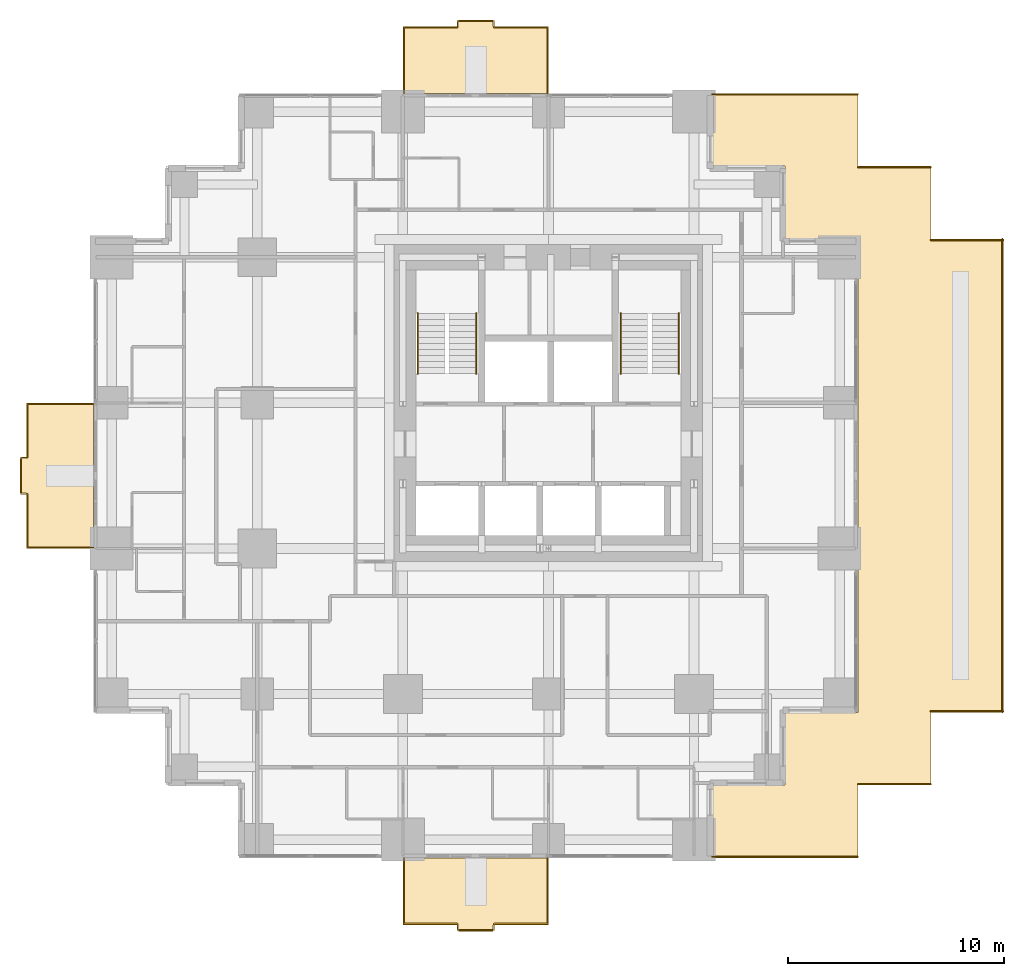
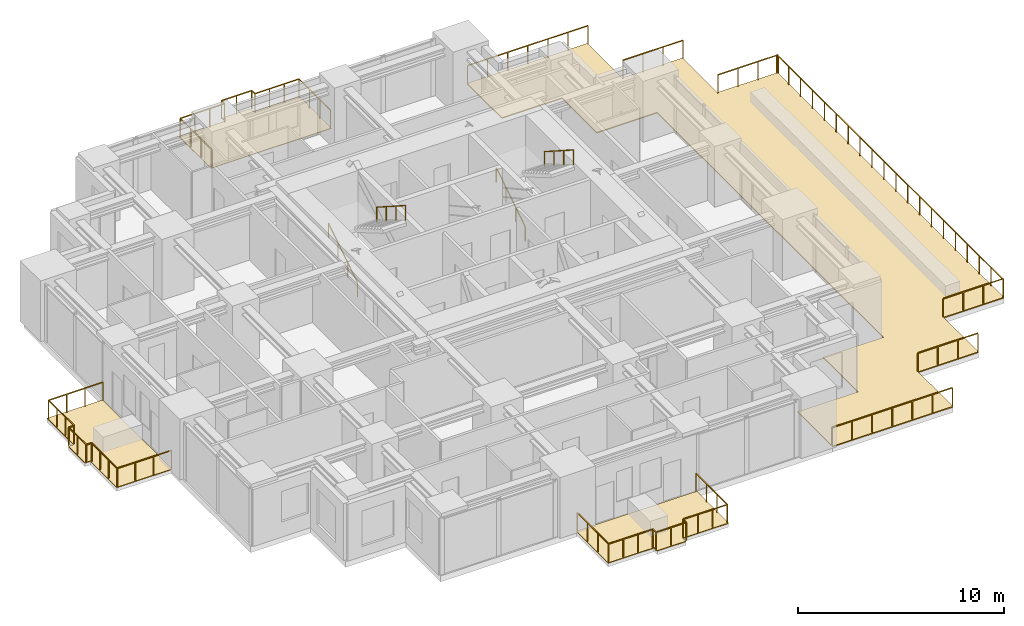
# One storey, part 10 of 10: 16 railings, 4 coverings.
"""IFC4 building model written with IfcOpenShell, lengths in metres."""

from ifc_helpers import new_model, si_unit, direction, frame, origin, origin_2d, place, context, subcontext, project, spatial, polyline, rectangle, outline, extrude, material, layer, layer_set, type_object, element, save


model = new_model("IFC4")

# Units and contexts
model_context = context("Model", 3, precision=1e-05, world=origin(), true_north=direction((0.0, 1.0)))
body_context = subcontext(model_context, "Body", "Model", "MODEL_VIEW")
ifc_project = project(units=[si_unit("LENGTHUNIT", "METRE"), si_unit("AREAUNIT", "SQUARE_METRE"), si_unit("VOLUMEUNIT", "CUBIC_METRE"), si_unit("PLANEANGLEUNIT", "RADIAN"), si_unit("MASSUNIT", "GRAM", prefix="KILO")], contexts=[model_context])

# Site, building, storey
site_placement = place(None, origin())
site = spatial("IfcSite", under=ifc_project, at=site_placement, CompositionType="ELEMENT")
building_placement = place(site_placement, origin())
building = spatial("IfcBuilding", under=site, at=building_placement, Name="Nyansa Garden Tower", CompositionType="ELEMENT")
storey_placement = place(building_placement, frame((0.0, 0.0, 142.199951171875)))
storey = spatial("IfcBuildingStorey", under=building, at=storey_placement, Name="L38", CompositionType="ELEMENT", Elevation=142.199951171875)

# Coverings
ifc_material_1 = material(Name="Hardwood decking on pedestals", Category="wood")
ifc_layer_1 = layer(ifc_material_1, 0.0400390625)
ifc_layer_set_1 = layer_set([ifc_layer_1], Name="Balcony decking DK40")
covering_type_1 = type_object("IfcCoveringType", Name="Balcony decking DK40", PredefinedType="FLOORING", material=ifc_layer_set_1)
covering_1_placement = place(storey_placement, frame((0.0, 0.0, -0.0400390625)))
element("IfcCovering", 1, at=covering_1_placement, inside=storey, type_object=covering_type_1, Name="Balcony decking L38", PredefinedType="FLOORING", context=body_context, shape_type="SweptSolid", body=[
    extrude(outline(polyline([(13.5, -0.85009765625), (20.25, -0.85009765625), (20.25, -3.949951171875), (17.675048828125, -3.949951171875), (17.675048828125, -4.25), (16.074951171875, -4.25), (16.074951171875, -3.949951171875), (13.5, -3.949951171875), (13.5, -0.85009765625)])), origin(), (0.0, 0.0, 1.0), 0.0400390625),
])
covering_2_placement = place(storey_placement, frame((0.0, 0.0, -0.0400390625)))
element("IfcCovering", 2, at=covering_2_placement, inside=storey, type_object=covering_type_1, Name="Balcony decking L38", PredefinedType="FLOORING", context=body_context, shape_type="SweptSolid", body=[
    extrude(outline(polyline([(13.5, 34.60009765625), (20.25, 34.60009765625), (20.25, 37.699951171875), (17.675048828125, 37.699951171875), (17.675048828125, 38.0), (16.074951171875, 38.0), (16.074951171875, 37.699951171875), (13.5, 37.699951171875), (13.5, 34.60009765625)])), origin(), (0.0, 0.0, 1.0), 0.0400390625),
])
covering_3_placement = place(storey_placement, frame((0.0, 0.0, -0.0400390625)))
element("IfcCovering", 3, at=covering_3_placement, inside=storey, type_object=covering_type_1, Name="Balcony decking L38", PredefinedType="FLOORING", context=body_context, shape_type="SweptSolid", body=[
    extrude(outline(polyline([(-0.85009765625, 13.5), (-0.85009765625, 20.25), (-3.949951171875, 20.25), (-3.949951171875, 17.675048828125), (-4.25, 17.675048828125), (-4.25, 16.074951171875), (-3.949951171875, 16.074951171875), (-3.949951171875, 13.5), (-0.85009765625, 13.5)])), origin(), (0.0, 0.0, 1.0), 0.0400390625),
])

# Railings
ifc_material_2 = material(Name="Black powder-coated steel balusters, laminated glass infill", Category="steel")
railing_type_1 = type_object("IfcRailingType", Name="Balcony guard G1", PredefinedType="GUARDRAIL", material=ifc_material_2)
railing_1_placement = place(storey_placement, frame((13.550048828125, -0.85009765625, 0.0)))
element("IfcRailing", 4, at=railing_1_placement, inside=storey, type_object=railing_type_1, Name="Balcony guard L38", PredefinedType="GUARDRAIL", context=body_context, shape_type="SweptSolid", body=[
    extrude(rectangle(XDim=0.048095703125, YDim=0.048095703125, at=origin_2d()), frame((0.0, 0.0, 1.076171875), z_axis=(0.0, -1.0, 0.0), x_axis=(1.0, 0.0, 0.0)), (0.0, 0.0, 1.0), 3.0498046875),
    extrude(rectangle(XDim=0.048095703125, YDim=0.048095703125, at=origin_2d()), frame((0.0, -3.0498046875, 1.076171875), z_axis=(1.0, 0.0, 0.0), x_axis=(0.0, 1.0, 0.0)), (0.0, 0.0, 1.0), 2.474853515625),
    extrude(rectangle(XDim=0.048095703125, YDim=0.048095703125, at=origin_2d()), frame((2.474853515625, -3.0498046875, 1.076171875), z_axis=(0.0, -1.0, 0.0), x_axis=(1.0, 0.0, 0.0)), (0.0, 0.0, 1.0), 0.300048828125),
    extrude(rectangle(XDim=0.048095703125, YDim=0.048095703125, at=origin_2d()), frame((2.474853515625, -3.349853515625, 1.076171875), z_axis=(1.0, 0.0, 0.0), x_axis=(0.0, 1.0, 0.0)), (0.0, 0.0, 1.0), 1.7001953125),
    extrude(rectangle(XDim=0.048095703125, YDim=0.048095703125, at=origin_2d()), frame((4.175048828125, -3.349853515625, 1.076171875), z_axis=(0.0, 1.0, 0.0), x_axis=(-1.0, 0.0, 0.0)), (0.0, 0.0, 1.0), 0.300048828125),
    extrude(rectangle(XDim=0.048095703125, YDim=0.048095703125, at=origin_2d()), frame((4.175048828125, -3.0498046875, 1.076171875), z_axis=(1.0, 0.0, 0.0), x_axis=(0.0, 1.0, 0.0)), (0.0, 0.0, 1.0), 2.474853515625),
    extrude(rectangle(XDim=0.048095703125, YDim=0.048095703125, at=origin_2d()), frame((6.64990234375, -3.0498046875, 1.076171875), z_axis=(0.0, 1.0, 0.0), x_axis=(-1.0, 0.0, 0.0)), (0.0, 0.0, 1.0), 3.0498046875),
    extrude(rectangle(XDim=0.0419921875, YDim=0.0419921875, at=origin_2d()), origin(), (0.0, 0.0, 1.0), 1.052001953125),
    extrude(rectangle(XDim=0.0419921875, YDim=0.0419921875, at=origin_2d()), frame((0.0, -1.0166015625, 0.0)), (0.0, 0.0, 1.0), 1.052001953125),
    extrude(rectangle(XDim=0.0419921875, YDim=0.0419921875, at=origin_2d()), frame((0.0, -2.033203125, 0.0)), (0.0, 0.0, 1.0), 1.052001953125),
    extrude(rectangle(XDim=0.0419921875, YDim=0.0419921875, at=origin_2d()), frame((0.0, -3.0498046875, 0.0)), (0.0, 0.0, 1.0), 1.052001953125),
    extrude(rectangle(XDim=0.0419921875, YDim=0.0419921875, at=origin_2d()), frame((0.824951171875, -3.0498046875, 0.0)), (0.0, 0.0, 1.0), 1.052001953125),
    extrude(rectangle(XDim=0.0419921875, YDim=0.0419921875, at=origin_2d()), frame((1.64990234375, -3.0498046875, 0.0)), (0.0, 0.0, 1.0), 1.052001953125),
    extrude(rectangle(XDim=0.0419921875, YDim=0.0419921875, at=origin_2d()), frame((2.474853515625, -3.0498046875, 0.0)), (0.0, 0.0, 1.0), 1.052001953125),
    extrude(rectangle(XDim=0.0419921875, YDim=0.0419921875, at=origin_2d()), frame((2.474853515625, -3.349853515625, 0.0)), (0.0, 0.0, 1.0), 1.052001953125),
    extrude(rectangle(XDim=0.0419921875, YDim=0.0419921875, at=origin_2d()), frame((3.324951171875, -3.349853515625, 0.0)), (0.0, 0.0, 1.0), 1.052001953125),
    extrude(rectangle(XDim=0.0419921875, YDim=0.0419921875, at=origin_2d()), frame((4.175048828125, -3.349853515625, 0.0)), (0.0, 0.0, 1.0), 1.052001953125),
    extrude(rectangle(XDim=0.0419921875, YDim=0.0419921875, at=origin_2d()), frame((4.175048828125, -3.0498046875, 0.0)), (0.0, 0.0, 1.0), 1.052001953125),
    extrude(rectangle(XDim=0.0419921875, YDim=0.0419921875, at=origin_2d()), frame((5.0, -3.0498046875, 0.0)), (0.0, 0.0, 1.0), 1.052001953125),
    extrude(rectangle(XDim=0.0419921875, YDim=0.0419921875, at=origin_2d()), frame((5.824951171875, -3.0498046875, 0.0)), (0.0, 0.0, 1.0), 1.052001953125),
    extrude(rectangle(XDim=0.0419921875, YDim=0.0419921875, at=origin_2d()), frame((6.64990234375, -3.0498046875, 0.0)), (0.0, 0.0, 1.0), 1.052001953125),
    extrude(rectangle(XDim=0.0419921875, YDim=0.0419921875, at=origin_2d()), frame((6.64990234375, -2.033203125, 0.0)), (0.0, 0.0, 1.0), 1.052001953125),
    extrude(rectangle(XDim=0.0419921875, YDim=0.0419921875, at=origin_2d()), frame((6.64990234375, -1.0166015625, 0.0)), (0.0, 0.0, 1.0), 1.052001953125),
    extrude(rectangle(XDim=0.0419921875, YDim=0.0419921875, at=origin_2d()), frame((6.64990234375, 0.0, 0.0)), (0.0, 0.0, 1.0), 1.052001953125),
])
railing_2_placement = place(storey_placement, frame((13.550048828125, 34.60009765625, 0.0)))
element("IfcRailing", 5, at=railing_2_placement, inside=storey, type_object=railing_type_1, Name="Balcony guard L38", PredefinedType="GUARDRAIL", context=body_context, shape_type="SweptSolid", body=[
    extrude(rectangle(XDim=0.048095703125, YDim=0.048095703125, at=origin_2d()), frame((0.0, 0.0, 1.076171875), z_axis=(0.0, 1.0, 0.0), x_axis=(-1.0, 0.0, 0.0)), (0.0, 0.0, 1.0), 3.0498046875),
    extrude(rectangle(XDim=0.048095703125, YDim=0.048095703125, at=origin_2d()), frame((0.0, 3.0498046875, 1.076171875), z_axis=(1.0, 0.0, 0.0), x_axis=(0.0, 1.0, 0.0)), (0.0, 0.0, 1.0), 2.474853515625),
    extrude(rectangle(XDim=0.048095703125, YDim=0.048095703125, at=origin_2d()), frame((2.474853515625, 3.0498046875, 1.076171875), z_axis=(0.0, 1.0, 0.0), x_axis=(-1.0, 0.0, 0.0)), (0.0, 0.0, 1.0), 0.300048828125),
    extrude(rectangle(XDim=0.048095703125, YDim=0.048095703125, at=origin_2d()), frame((2.474853515625, 3.349853515625, 1.076171875), z_axis=(1.0, 0.0, 0.0), x_axis=(0.0, 1.0, 0.0)), (0.0, 0.0, 1.0), 1.7001953125),
    extrude(rectangle(XDim=0.048095703125, YDim=0.048095703125, at=origin_2d()), frame((4.175048828125, 3.349853515625, 1.076171875), z_axis=(0.0, -1.0, 0.0), x_axis=(1.0, 0.0, 0.0)), (0.0, 0.0, 1.0), 0.300048828125),
    extrude(rectangle(XDim=0.048095703125, YDim=0.048095703125, at=origin_2d()), frame((4.175048828125, 3.0498046875, 1.076171875), z_axis=(1.0, 0.0, 0.0), x_axis=(0.0, 1.0, 0.0)), (0.0, 0.0, 1.0), 2.474853515625),
    extrude(rectangle(XDim=0.048095703125, YDim=0.048095703125, at=origin_2d()), frame((6.64990234375, 3.0498046875, 1.076171875), z_axis=(0.0, -1.0, 0.0), x_axis=(1.0, 0.0, 0.0)), (0.0, 0.0, 1.0), 3.0498046875),
    extrude(rectangle(XDim=0.0419921875, YDim=0.0419921875, at=origin_2d()), origin(), (0.0, 0.0, 1.0), 1.052001953125),
    extrude(rectangle(XDim=0.0419921875, YDim=0.0419921875, at=origin_2d()), frame((0.0, 1.0166015625, 0.0)), (0.0, 0.0, 1.0), 1.052001953125),
    extrude(rectangle(XDim=0.0419921875, YDim=0.0419921875, at=origin_2d()), frame((0.0, 2.033203125, 0.0)), (0.0, 0.0, 1.0), 1.052001953125),
    extrude(rectangle(XDim=0.0419921875, YDim=0.0419921875, at=origin_2d()), frame((0.0, 3.0498046875, 0.0)), (0.0, 0.0, 1.0), 1.052001953125),
    extrude(rectangle(XDim=0.0419921875, YDim=0.0419921875, at=origin_2d()), frame((0.824951171875, 3.0498046875, 0.0)), (0.0, 0.0, 1.0), 1.052001953125),
    extrude(rectangle(XDim=0.0419921875, YDim=0.0419921875, at=origin_2d()), frame((1.64990234375, 3.0498046875, 0.0)), (0.0, 0.0, 1.0), 1.052001953125),
    extrude(rectangle(XDim=0.0419921875, YDim=0.0419921875, at=origin_2d()), frame((2.474853515625, 3.0498046875, 0.0)), (0.0, 0.0, 1.0), 1.052001953125),
    extrude(rectangle(XDim=0.0419921875, YDim=0.0419921875, at=origin_2d()), frame((2.474853515625, 3.349853515625, 0.0)), (0.0, 0.0, 1.0), 1.052001953125),
    extrude(rectangle(XDim=0.0419921875, YDim=0.0419921875, at=origin_2d()), frame((3.324951171875, 3.349853515625, 0.0)), (0.0, 0.0, 1.0), 1.052001953125),
    extrude(rectangle(XDim=0.0419921875, YDim=0.0419921875, at=origin_2d()), frame((4.175048828125, 3.349853515625, 0.0)), (0.0, 0.0, 1.0), 1.052001953125),
    extrude(rectangle(XDim=0.0419921875, YDim=0.0419921875, at=origin_2d()), frame((4.175048828125, 3.0498046875, 0.0)), (0.0, 0.0, 1.0), 1.052001953125),
    extrude(rectangle(XDim=0.0419921875, YDim=0.0419921875, at=origin_2d()), frame((5.0, 3.0498046875, 0.0)), (0.0, 0.0, 1.0), 1.052001953125),
    extrude(rectangle(XDim=0.0419921875, YDim=0.0419921875, at=origin_2d()), frame((5.824951171875, 3.0498046875, 0.0)), (0.0, 0.0, 1.0), 1.052001953125),
    extrude(rectangle(XDim=0.0419921875, YDim=0.0419921875, at=origin_2d()), frame((6.64990234375, 3.0498046875, 0.0)), (0.0, 0.0, 1.0), 1.052001953125),
    extrude(rectangle(XDim=0.0419921875, YDim=0.0419921875, at=origin_2d()), frame((6.64990234375, 2.033203125, 0.0)), (0.0, 0.0, 1.0), 1.052001953125),
    extrude(rectangle(XDim=0.0419921875, YDim=0.0419921875, at=origin_2d()), frame((6.64990234375, 1.0166015625, 0.0)), (0.0, 0.0, 1.0), 1.052001953125),
    extrude(rectangle(XDim=0.0419921875, YDim=0.0419921875, at=origin_2d()), frame((6.64990234375, 0.0, 0.0)), (0.0, 0.0, 1.0), 1.052001953125),
])
railing_3_placement = place(storey_placement, frame((-0.85009765625, 13.550048828125, 0.0)))
element("IfcRailing", 6, at=railing_3_placement, inside=storey, type_object=railing_type_1, Name="Balcony guard L38", PredefinedType="GUARDRAIL", context=body_context, shape_type="SweptSolid", body=[
    extrude(rectangle(XDim=0.048095703125, YDim=0.048095703125, at=origin_2d()), frame((0.0, 0.0, 1.076171875), z_axis=(-1.0, 0.0, 0.0), x_axis=(0.0, -1.0, 0.0)), (0.0, 0.0, 1.0), 3.0498046875),
    extrude(rectangle(XDim=0.048095703125, YDim=0.048095703125, at=origin_2d()), frame((-3.0498046875, 0.0, 1.076171875), z_axis=(0.0, 1.0, 0.0), x_axis=(-1.0, 0.0, 0.0)), (0.0, 0.0, 1.0), 2.474853515625),
    extrude(rectangle(XDim=0.048095703125, YDim=0.048095703125, at=origin_2d()), frame((-3.0498046875, 2.474853515625, 1.076171875), z_axis=(-1.0, 0.0, 0.0), x_axis=(0.0, -1.0, 0.0)), (0.0, 0.0, 1.0), 0.300048828125),
    extrude(rectangle(XDim=0.048095703125, YDim=0.048095703125, at=origin_2d()), frame((-3.349853515625, 2.474853515625, 1.076171875), z_axis=(0.0, 1.0, 0.0), x_axis=(-1.0, 0.0, 0.0)), (0.0, 0.0, 1.0), 1.7001953125),
    extrude(rectangle(XDim=0.048095703125, YDim=0.048095703125, at=origin_2d()), frame((-3.349853515625, 4.175048828125, 1.076171875), z_axis=(1.0, 0.0, 0.0), x_axis=(0.0, 1.0, 0.0)), (0.0, 0.0, 1.0), 0.300048828125),
    extrude(rectangle(XDim=0.048095703125, YDim=0.048095703125, at=origin_2d()), frame((-3.0498046875, 4.175048828125, 1.076171875), z_axis=(0.0, 1.0, 0.0), x_axis=(-1.0, 0.0, 0.0)), (0.0, 0.0, 1.0), 2.474853515625),
    extrude(rectangle(XDim=0.048095703125, YDim=0.048095703125, at=origin_2d()), frame((-3.0498046875, 6.64990234375, 1.076171875), z_axis=(1.0, 0.0, 0.0), x_axis=(0.0, 1.0, 0.0)), (0.0, 0.0, 1.0), 3.0498046875),
    extrude(rectangle(XDim=0.0419921875, YDim=0.0419921875, at=origin_2d()), origin(), (0.0, 0.0, 1.0), 1.052001953125),
    extrude(rectangle(XDim=0.0419921875, YDim=0.0419921875, at=origin_2d()), frame((-1.0166015625, 0.0, 0.0)), (0.0, 0.0, 1.0), 1.052001953125),
    extrude(rectangle(XDim=0.0419921875, YDim=0.0419921875, at=origin_2d()), frame((-2.033203125, 0.0, 0.0)), (0.0, 0.0, 1.0), 1.052001953125),
    extrude(rectangle(XDim=0.0419921875, YDim=0.0419921875, at=origin_2d()), frame((-3.0498046875, 0.0, 0.0)), (0.0, 0.0, 1.0), 1.052001953125),
    extrude(rectangle(XDim=0.0419921875, YDim=0.0419921875, at=origin_2d()), frame((-3.0498046875, 0.824951171875, 0.0)), (0.0, 0.0, 1.0), 1.052001953125),
    extrude(rectangle(XDim=0.0419921875, YDim=0.0419921875, at=origin_2d()), frame((-3.0498046875, 1.64990234375, 0.0)), (0.0, 0.0, 1.0), 1.052001953125),
    extrude(rectangle(XDim=0.0419921875, YDim=0.0419921875, at=origin_2d()), frame((-3.0498046875, 2.474853515625, 0.0)), (0.0, 0.0, 1.0), 1.052001953125),
    extrude(rectangle(XDim=0.0419921875, YDim=0.0419921875, at=origin_2d()), frame((-3.349853515625, 2.474853515625, 0.0)), (0.0, 0.0, 1.0), 1.052001953125),
    extrude(rectangle(XDim=0.0419921875, YDim=0.0419921875, at=origin_2d()), frame((-3.349853515625, 3.324951171875, 0.0)), (0.0, 0.0, 1.0), 1.052001953125),
    extrude(rectangle(XDim=0.0419921875, YDim=0.0419921875, at=origin_2d()), frame((-3.349853515625, 4.175048828125, 0.0)), (0.0, 0.0, 1.0), 1.052001953125),
    extrude(rectangle(XDim=0.0419921875, YDim=0.0419921875, at=origin_2d()), frame((-3.0498046875, 4.175048828125, 0.0)), (0.0, 0.0, 1.0), 1.052001953125),
    extrude(rectangle(XDim=0.0419921875, YDim=0.0419921875, at=origin_2d()), frame((-3.0498046875, 5.0, 0.0)), (0.0, 0.0, 1.0), 1.052001953125),
    extrude(rectangle(XDim=0.0419921875, YDim=0.0419921875, at=origin_2d()), frame((-3.0498046875, 5.824951171875, 0.0)), (0.0, 0.0, 1.0), 1.052001953125),
    extrude(rectangle(XDim=0.0419921875, YDim=0.0419921875, at=origin_2d()), frame((-3.0498046875, 6.64990234375, 0.0)), (0.0, 0.0, 1.0), 1.052001953125),
    extrude(rectangle(XDim=0.0419921875, YDim=0.0419921875, at=origin_2d()), frame((-2.033203125, 6.64990234375, 0.0)), (0.0, 0.0, 1.0), 1.052001953125),
    extrude(rectangle(XDim=0.0419921875, YDim=0.0419921875, at=origin_2d()), frame((-1.0166015625, 6.64990234375, 0.0)), (0.0, 0.0, 1.0), 1.052001953125),
    extrude(rectangle(XDim=0.0419921875, YDim=0.0419921875, at=origin_2d()), frame((0.0, 6.64990234375, 0.0)), (0.0, 0.0, 1.0), 1.052001953125),
])
ifc_material_3 = material(Name="Black powder-coated steel tube 48 mm", Category="steel")
railing_type_2 = type_object("IfcRailingType", Name="Stair handrail HR1", PredefinedType="HANDRAIL", material=ifc_material_3)
railing_4_placement = place(storey_placement, frame((14.199951171875, 21.60009765625, 0.0)))
element("IfcRailing", 7, at=railing_4_placement, inside=storey, type_object=railing_type_2, Name="Stair S1 handrail L38", PredefinedType="HANDRAIL", context=body_context, shape_type="SweptSolid", body=[
    extrude(rectangle(XDim=0.048095703125, YDim=0.048095703125, at=origin_2d()), frame((0.0, 0.0, 0.8759765625), z_axis=(0.0, 0.841154643086, 0.54079466197), x_axis=(-1.0, 0.0, 0.0)), (0.0, 0.0, 1.0), 3.32861328125),
    extrude(rectangle(XDim=0.0419921875, YDim=0.0419921875, at=origin_2d()), origin(), (0.0, 0.0, 1.0), 0.851806640625),
    extrude(rectangle(XDim=0.0419921875, YDim=0.0419921875, at=origin_2d()), frame((0.0, 0.933349609375, 0.60009765625)), (0.0, 0.0, 1.0), 0.851806640625),
    extrude(rectangle(XDim=0.0419921875, YDim=0.0419921875, at=origin_2d()), frame((0.0, 1.866455078125, 1.199951171875)), (0.0, 0.0, 1.0), 0.851806640625),
    extrude(rectangle(XDim=0.0419921875, YDim=0.0419921875, at=origin_2d()), frame((0.0, 2.7998046875, 1.800048828125)), (0.0, 0.0, 1.0), 0.851806640625),
])
railing_5_placement = place(storey_placement, frame((16.89990234375, 24.39990234375, 1.800048828125)))
element("IfcRailing", 8, at=railing_5_placement, inside=storey, type_object=railing_type_2, Name="Stair S1 handrail L38", PredefinedType="HANDRAIL", context=body_context, shape_type="SweptSolid", body=[
    extrude(rectangle(XDim=0.048095703125, YDim=0.048095703125, at=origin_2d()), frame((0.0, 0.0, 0.8759765625), z_axis=(0.0, -0.841154643086, 0.54079466197), x_axis=(1.0, 0.0, 0.0)), (0.0, 0.0, 1.0), 3.32861328125),
    extrude(rectangle(XDim=0.0419921875, YDim=0.0419921875, at=origin_2d()), origin(), (0.0, 0.0, 1.0), 0.851806640625),
    extrude(rectangle(XDim=0.0419921875, YDim=0.0419921875, at=origin_2d()), frame((0.0, -0.933349609375, 0.60009765625)), (0.0, 0.0, 1.0), 0.851806640625),
    extrude(rectangle(XDim=0.0419921875, YDim=0.0419921875, at=origin_2d()), frame((0.0, -1.866455078125, 1.199951171875)), (0.0, 0.0, 1.0), 0.851806640625),
    extrude(rectangle(XDim=0.0419921875, YDim=0.0419921875, at=origin_2d()), frame((0.0, -2.7998046875, 1.800048828125)), (0.0, 0.0, 1.0), 0.851806640625),
])
railing_6_placement = place(storey_placement, frame((23.60009765625, 21.60009765625, 0.0)))
element("IfcRailing", 9, at=railing_6_placement, inside=storey, type_object=railing_type_2, Name="Stair S2 handrail L38", PredefinedType="HANDRAIL", context=body_context, shape_type="SweptSolid", body=[
    extrude(rectangle(XDim=0.048095703125, YDim=0.048095703125, at=origin_2d()), frame((0.0, 0.0, 0.8759765625), z_axis=(0.0, 0.841154643086, 0.54079466197), x_axis=(-1.0, 0.0, 0.0)), (0.0, 0.0, 1.0), 3.32861328125),
    extrude(rectangle(XDim=0.0419921875, YDim=0.0419921875, at=origin_2d()), origin(), (0.0, 0.0, 1.0), 0.851806640625),
    extrude(rectangle(XDim=0.0419921875, YDim=0.0419921875, at=origin_2d()), frame((0.0, 0.933349609375, 0.60009765625)), (0.0, 0.0, 1.0), 0.851806640625),
    extrude(rectangle(XDim=0.0419921875, YDim=0.0419921875, at=origin_2d()), frame((0.0, 1.866455078125, 1.199951171875)), (0.0, 0.0, 1.0), 0.851806640625),
    extrude(rectangle(XDim=0.0419921875, YDim=0.0419921875, at=origin_2d()), frame((0.0, 2.7998046875, 1.800048828125)), (0.0, 0.0, 1.0), 0.851806640625),
])
railing_7_placement = place(storey_placement, frame((26.300048828125, 24.39990234375, 1.800048828125)))
element("IfcRailing", 10, at=railing_7_placement, inside=storey, type_object=railing_type_2, Name="Stair S2 handrail L38", PredefinedType="HANDRAIL", context=body_context, shape_type="SweptSolid", body=[
    extrude(rectangle(XDim=0.048095703125, YDim=0.048095703125, at=origin_2d()), frame((0.0, 0.0, 0.8759765625), z_axis=(0.0, -0.841154643086, 0.54079466197), x_axis=(1.0, 0.0, 0.0)), (0.0, 0.0, 1.0), 3.32861328125),
    extrude(rectangle(XDim=0.0419921875, YDim=0.0419921875, at=origin_2d()), origin(), (0.0, 0.0, 1.0), 0.851806640625),
    extrude(rectangle(XDim=0.0419921875, YDim=0.0419921875, at=origin_2d()), frame((0.0, -0.933349609375, 0.60009765625)), (0.0, 0.0, 1.0), 0.851806640625),
    extrude(rectangle(XDim=0.0419921875, YDim=0.0419921875, at=origin_2d()), frame((0.0, -1.866455078125, 1.199951171875)), (0.0, 0.0, 1.0), 0.851806640625),
    extrude(rectangle(XDim=0.0419921875, YDim=0.0419921875, at=origin_2d()), frame((0.0, -2.7998046875, 1.800048828125)), (0.0, 0.0, 1.0), 0.851806640625),
])
ifc_material_4 = material(Name="Black powder-coated steel, laminated glass infill", Category="steel")
railing_type_3 = type_object("IfcRailingType", Name="Terrace guard G2", PredefinedType="GUARDRAIL", material=ifc_material_4)
for number, where, name in (
    (11, (31.22509765625, -0.800048828125, 0.0), "Setback roof guard L38"),
    (12, (34.60009765625, -0.800048828125, 0.0), "Setback roof guard L38"),
    (13, (37.97509765625, 2.574951171875, 0.0), "Setback roof guard L38"),
):
    element("IfcRailing", number, at=place(storey_placement, frame(where)), inside=storey, type_object=railing_type_3, Name=name, PredefinedType="GUARDRAIL", context=body_context, shape_type="SweptSolid", body=[
        extrude(rectangle(XDim=0.048095703125, YDim=0.048095703125, at=origin_2d()), frame((0.0, 0.0, 1.076171875), z_axis=(-1.0, 0.0, 0.0), x_axis=(0.0, -1.0, 0.0)), (0.0, 0.0, 1.0), 3.375),
        extrude(rectangle(XDim=0.0419921875, YDim=0.0419921875, at=origin_2d()), origin(), (0.0, 0.0, 1.0), 1.052001953125),
        extrude(rectangle(XDim=0.0419921875, YDim=0.0419921875, at=origin_2d()), frame((-1.125, 0.0, 0.0)), (0.0, 0.0, 1.0), 1.052001953125),
        extrude(rectangle(XDim=0.0419921875, YDim=0.0419921875, at=origin_2d()), frame((-2.25, 0.0, 0.0)), (0.0, 0.0, 1.0), 1.052001953125),
        extrude(rectangle(XDim=0.0419921875, YDim=0.0419921875, at=origin_2d()), frame((-3.375, 0.0, 0.0)), (0.0, 0.0, 1.0), 1.052001953125),
    ])
railing_8_placement = place(storey_placement, frame((34.60009765625, 31.175048828125, 0.0)))
element("IfcRailing", 14, at=railing_8_placement, inside=storey, type_object=railing_type_3, Name="Setback roof guard L38", PredefinedType="GUARDRAIL", context=body_context, shape_type="SweptSolid", body=[
    extrude(rectangle(XDim=0.048095703125, YDim=0.048095703125, at=origin_2d()), frame((0.0, 0.0, 1.076171875), z_axis=(1.0, 0.0, 0.0), x_axis=(0.0, 1.0, 0.0)), (0.0, 0.0, 1.0), 3.375),
    extrude(rectangle(XDim=0.0419921875, YDim=0.0419921875, at=origin_2d()), origin(), (0.0, 0.0, 1.0), 1.052001953125),
    extrude(rectangle(XDim=0.0419921875, YDim=0.0419921875, at=origin_2d()), frame((1.125, 0.0, 0.0)), (0.0, 0.0, 1.0), 1.052001953125),
    extrude(rectangle(XDim=0.0419921875, YDim=0.0419921875, at=origin_2d()), frame((2.25, 0.0, 0.0)), (0.0, 0.0, 1.0), 1.052001953125),
    extrude(rectangle(XDim=0.0419921875, YDim=0.0419921875, at=origin_2d()), frame((3.375, 0.0, 0.0)), (0.0, 0.0, 1.0), 1.052001953125),
])
railing_9_placement = place(storey_placement, frame((41.300048828125, 27.85009765625, 0.0)))
element("IfcRailing", 15, at=railing_9_placement, inside=storey, type_object=railing_type_3, Name="Setback roof guard L38", PredefinedType="GUARDRAIL", context=body_context, shape_type="SweptSolid", body=[
    extrude(rectangle(XDim=0.048095703125, YDim=0.048095703125, at=origin_2d()), frame((0.0, 0.0, 1.076171875), z_axis=(0.0, -1.0, 0.0), x_axis=(1.0, 0.0, 0.0)), (0.0, 0.0, 1.0), 21.9501953125),
    extrude(rectangle(XDim=0.0419921875, YDim=0.0419921875, at=origin_2d()), origin(), (0.0, 0.0, 1.0), 1.052001953125),
    extrude(rectangle(XDim=0.0419921875, YDim=0.0419921875, at=origin_2d()), frame((0.0, -1.1552734375, 0.0)), (0.0, 0.0, 1.0), 1.052001953125),
    extrude(rectangle(XDim=0.0419921875, YDim=0.0419921875, at=origin_2d()), frame((0.0, -2.310546875, 0.0)), (0.0, 0.0, 1.0), 1.052001953125),
    extrude(rectangle(XDim=0.0419921875, YDim=0.0419921875, at=origin_2d()), frame((0.0, -3.4658203125, 0.0)), (0.0, 0.0, 1.0), 1.052001953125),
    extrude(rectangle(XDim=0.0419921875, YDim=0.0419921875, at=origin_2d()), frame((0.0, -4.62109375, 0.0)), (0.0, 0.0, 1.0), 1.052001953125),
    extrude(rectangle(XDim=0.0419921875, YDim=0.0419921875, at=origin_2d()), frame((0.0, -5.7763671875, 0.0)), (0.0, 0.0, 1.0), 1.052001953125),
    extrude(rectangle(XDim=0.0419921875, YDim=0.0419921875, at=origin_2d()), frame((0.0, -6.931640625, 0.0)), (0.0, 0.0, 1.0), 1.052001953125),
    extrude(rectangle(XDim=0.0419921875, YDim=0.0419921875, at=origin_2d()), frame((0.0, -8.0869140625, 0.0)), (0.0, 0.0, 1.0), 1.052001953125),
    extrude(rectangle(XDim=0.0419921875, YDim=0.0419921875, at=origin_2d()), frame((0.0, -9.2421875, 0.0)), (0.0, 0.0, 1.0), 1.052001953125),
    extrude(rectangle(XDim=0.0419921875, YDim=0.0419921875, at=origin_2d()), frame((0.0, -10.3974609375, 0.0)), (0.0, 0.0, 1.0), 1.052001953125),
    extrude(rectangle(XDim=0.0419921875, YDim=0.0419921875, at=origin_2d()), frame((0.0, -11.552734375, 0.0)), (0.0, 0.0, 1.0), 1.052001953125),
    extrude(rectangle(XDim=0.0419921875, YDim=0.0419921875, at=origin_2d()), frame((0.0, -12.7080078125, 0.0)), (0.0, 0.0, 1.0), 1.052001953125),
    extrude(rectangle(XDim=0.0419921875, YDim=0.0419921875, at=origin_2d()), frame((0.0, -13.86328125, 0.0)), (0.0, 0.0, 1.0), 1.052001953125),
    extrude(rectangle(XDim=0.0419921875, YDim=0.0419921875, at=origin_2d()), frame((0.0, -15.0185546875, 0.0)), (0.0, 0.0, 1.0), 1.052001953125),
    extrude(rectangle(XDim=0.0419921875, YDim=0.0419921875, at=origin_2d()), frame((0.0, -16.173828125, 0.0)), (0.0, 0.0, 1.0), 1.052001953125),
    extrude(rectangle(XDim=0.0419921875, YDim=0.0419921875, at=origin_2d()), frame((0.0, -17.3291015625, 0.0)), (0.0, 0.0, 1.0), 1.052001953125),
    extrude(rectangle(XDim=0.0419921875, YDim=0.0419921875, at=origin_2d()), frame((0.0, -18.484375, 0.0)), (0.0, 0.0, 1.0), 1.052001953125),
    extrude(rectangle(XDim=0.0419921875, YDim=0.0419921875, at=origin_2d()), frame((0.0, -19.6396484375, 0.0)), (0.0, 0.0, 1.0), 1.052001953125),
    extrude(rectangle(XDim=0.0419921875, YDim=0.0419921875, at=origin_2d()), frame((0.0, -20.794921875, 0.0)), (0.0, 0.0, 1.0), 1.052001953125),
    extrude(rectangle(XDim=0.0419921875, YDim=0.0419921875, at=origin_2d()), frame((0.0, -21.9501953125, 0.0)), (0.0, 0.0, 1.0), 1.052001953125),
])
railing_10_placement = place(storey_placement, frame((41.35009765625, 5.949951171875, 0.0)))
element("IfcRailing", 16, at=railing_10_placement, inside=storey, type_object=railing_type_3, Name="Setback roof guard L38", PredefinedType="GUARDRAIL", context=body_context, shape_type="SweptSolid", body=[
    extrude(rectangle(XDim=0.048095703125, YDim=0.048095703125, at=origin_2d()), frame((0.0, 0.0, 1.076171875), z_axis=(-1.0, 0.0, 0.0), x_axis=(0.0, -1.0, 0.0)), (0.0, 0.0, 1.0), 3.375),
    extrude(rectangle(XDim=0.0419921875, YDim=0.0419921875, at=origin_2d()), origin(), (0.0, 0.0, 1.0), 1.052001953125),
    extrude(rectangle(XDim=0.0419921875, YDim=0.0419921875, at=origin_2d()), frame((-1.125, 0.0, 0.0)), (0.0, 0.0, 1.0), 1.052001953125),
    extrude(rectangle(XDim=0.0419921875, YDim=0.0419921875, at=origin_2d()), frame((-2.25, 0.0, 0.0)), (0.0, 0.0, 1.0), 1.052001953125),
    extrude(rectangle(XDim=0.0419921875, YDim=0.0419921875, at=origin_2d()), frame((-3.375, 0.0, 0.0)), (0.0, 0.0, 1.0), 1.052001953125),
])
for number, where, name in (
    (17, (37.97509765625, 27.800048828125, 0.0), "Setback roof guard L38"),
    (18, (31.22509765625, 34.550048828125, 0.0), "Setback roof guard L38"),
    (19, (27.85009765625, 34.550048828125, 0.0), "Setback roof guard L38"),
):
    element("IfcRailing", number, at=place(storey_placement, frame(where)), inside=storey, type_object=railing_type_3, Name=name, PredefinedType="GUARDRAIL", context=body_context, shape_type="SweptSolid", body=[
        extrude(rectangle(XDim=0.048095703125, YDim=0.048095703125, at=origin_2d()), frame((0.0, 0.0, 1.076171875), z_axis=(1.0, 0.0, 0.0), x_axis=(0.0, 1.0, 0.0)), (0.0, 0.0, 1.0), 3.375),
        extrude(rectangle(XDim=0.0419921875, YDim=0.0419921875, at=origin_2d()), origin(), (0.0, 0.0, 1.0), 1.052001953125),
        extrude(rectangle(XDim=0.0419921875, YDim=0.0419921875, at=origin_2d()), frame((1.125, 0.0, 0.0)), (0.0, 0.0, 1.0), 1.052001953125),
        extrude(rectangle(XDim=0.0419921875, YDim=0.0419921875, at=origin_2d()), frame((2.25, 0.0, 0.0)), (0.0, 0.0, 1.0), 1.052001953125),
        extrude(rectangle(XDim=0.0419921875, YDim=0.0419921875, at=origin_2d()), frame((3.375, 0.0, 0.0)), (0.0, 0.0, 1.0), 1.052001953125),
    ])

# Covering
ifc_material_5 = material(Name="Terracotta and turquoise glazed tile paving on pedestals", Category="masonry")
ifc_layer_2 = layer(ifc_material_5, 0.06005859375)
ifc_layer_set_2 = layer_set([ifc_layer_2], Name="Terrace paving PV60")
covering_type_2 = type_object("IfcCoveringType", Name="Terrace paving PV60", PredefinedType="USERDEFINED", material=ifc_layer_set_2)
covering_4_placement = place(storey_placement, frame((0.0, 0.0, -0.06005859375)))
element("IfcCovering", 20, at=covering_4_placement, inside=storey, type_object=covering_type_2, Name="Terrace paving L38", ObjectType="PAVING", PredefinedType="USERDEFINED", context=body_context, shape_type="SweptSolid", body=[
    extrude(outline(polyline([(37.97509765625, 5.89990234375), (37.97509765625, 2.52490234375), (34.60009765625, 2.52490234375), (34.60009765625, -0.85009765625), (27.85009765625, -0.85009765625), (27.85009765625, 2.52490234375), (31.22509765625, 2.52490234375), (31.22509765625, 5.89990234375), (34.60009765625, 5.89990234375), (34.60009765625, 27.85009765625), (31.22509765625, 27.85009765625), (31.22509765625, 31.22509765625), (27.85009765625, 31.22509765625), (27.85009765625, 34.60009765625), (34.60009765625, 34.60009765625), (34.60009765625, 31.22509765625), (37.97509765625, 31.22509765625), (37.97509765625, 27.85009765625), (41.35009765625, 27.85009765625), (41.35009765625, 5.89990234375), (37.97509765625, 5.89990234375)])), origin(), (0.0, 0.0, 1.0), 0.06005859375),
])

save(model, "model.ifc")
